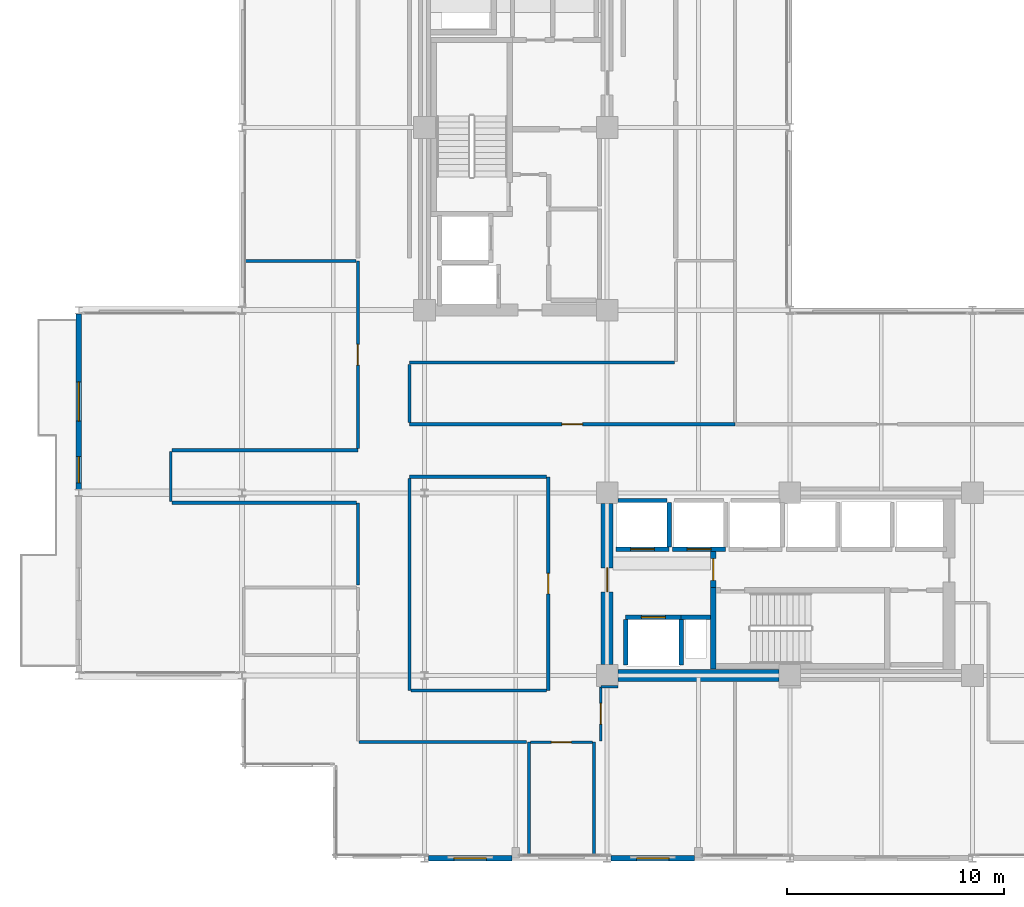
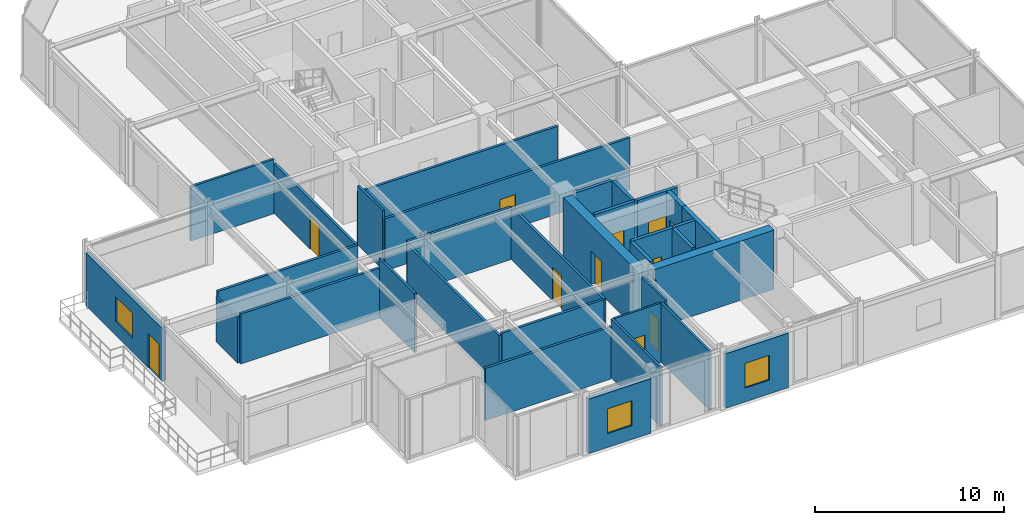
# One storey, part 24 of 29: 34 walls, 11 doors, 3 windows, 14 openings.
"""IFC4 building model written with IfcOpenShell, lengths in metres."""

from ifc_helpers import new_model, si_unit, direction, frame, frame_2d, origin, place, context, subcontext, project, spatial, rectangle, extrude, material, layer, layer_set, type_object, element, fill, save


model = new_model("IFC4")

# Units and contexts
model_context = context("Model", 3, precision=1e-05, world=origin(), true_north=direction((0.0, 1.0)))
body_context = subcontext(model_context, "Body", "Model", "MODEL_VIEW")
ifc_project = project(units=[si_unit("LENGTHUNIT", "METRE"), si_unit("AREAUNIT", "SQUARE_METRE"), si_unit("VOLUMEUNIT", "CUBIC_METRE"), si_unit("PLANEANGLEUNIT", "RADIAN"), si_unit("MASSUNIT", "GRAM", prefix="KILO")], contexts=[model_context])

# Site, building, storey
site_placement = place(None, origin())
site = spatial("IfcSite", under=ifc_project, at=site_placement, CompositionType="ELEMENT")
building_placement = place(site_placement, origin())
building = spatial("IfcBuilding", under=site, at=building_placement, Name="Nerrivon Quay Data Exchange", CompositionType="ELEMENT")
storey_placement = place(building_placement, frame((0.0, 0.0, 212.39990234375)))
storey = spatial("IfcBuildingStorey", under=building, at=storey_placement, Name="L50", CompositionType="ELEMENT", Elevation=212.39990234375)

# Wall, openings, door, window
ifc_material_1 = material(Name="Architectural terracotta precast concrete N50 (50 MPa)", Category="masonry")
ifc_layer_1 = layer(ifc_material_1, 0.239990234375)
ifc_layer_set_1 = layer_set([ifc_layer_1], Name="Architectural terracotta precast concrete N50 (50 MPa)")
wall_type_1 = type_object("IfcWallType", Name="EW-PREC-240", PredefinedType="STANDARD", material=ifc_layer_set_1)
wall_1_placement = place(storey_placement, frame((-7.5, 16.96337890625, 0.0), z_axis=(0.0, 0.0, 1.0), x_axis=(0.0, 1.0, 0.0)))
wall_1 = element("IfcWall", 1, at=wall_1_placement, inside=storey, type_object=wall_type_1, Name="L50 Terrace Host Wall 2", PredefinedType="STANDARD", context=body_context, shape_type="SweptSolid", body=[
    extrude(rectangle(XDim=8.0732421875, YDim=0.239990234375, at=frame_2d((4.03662109375, 0.0))), origin(), (0.0, 0.0, 1.0), 3.422119140625),
])
opening_1_placement = place(wall_1_placement, frame((0.300048828125, 0.0, 0.0)))
opening_1 = element("IfcOpeningElement", 2, at=opening_1_placement, cuts=wall_1, Name="Opening TD1", PredefinedType="OPENING", context=body_context, shape_type="SweptSolid", body=[
    extrude(rectangle(XDim=1.199951171875, YDim=2.199951171875, at=frame_2d((0.60009765625, 1.10009765625))), frame((0.0, 0.1298828125, 0.0), z_axis=(0.0, -1.0, 0.0), x_axis=(1.0, 0.0, 0.0)), (0.0, 0.0, 1.0), 0.260009765625),
])
opening_2_placement = place(wall_1_placement, frame((3.136474609375, 0.0, 0.89990234375)))
opening_2 = element("IfcOpeningElement", 3, at=opening_2_placement, cuts=wall_1, Name="Opening WN2", PredefinedType="OPENING", context=body_context, shape_type="SweptSolid", body=[
    extrude(rectangle(XDim=1.800048828125, YDim=1.60009765625, at=frame_2d((0.89990234375, 0.800048828125))), frame((0.0, 0.1298828125, 0.0), z_axis=(0.0, -1.0, 0.0), x_axis=(1.0, 0.0, 0.0)), (0.0, 0.0, 1.0), 0.260009765625),
])
ifc_material_2 = material(Name="Double-glazed low-E solar control glass", Category="glass")
door_type_1 = type_object("IfcDoorType", Name="DR-TERR-1200x2200", OperationType="NOTDEFINED", PredefinedType="DOOR", material=ifc_material_2)
door_1_placement = place(opening_1_placement, origin())
door_1 = element("IfcDoor", 4, at=door_1_placement, inside=storey, type_object=door_type_1, Name="L50 Outdoor Terrace Access Door 2", OperationType="SINGLE_SWING_LEFT", OverallHeight=2.199951171875, OverallWidth=1.199951171875, PredefinedType="DOOR", context=body_context, shape_type="SweptSolid", body=[
    extrude(rectangle(XDim=1.199951171875, YDim=2.199951171875, at=frame_2d((0.60009765625, 1.10009765625))), frame((0.0, 0.02490234375, 0.0), z_axis=(0.0, -1.0, 0.0), x_axis=(1.0, 0.0, 0.0)), (0.0, 0.0, 1.0), 0.050048828125),
])
fill(opening_1, door_1)
window_type_1 = type_object("IfcWindowType", Name="WIN-W2-1800x1600", PartitioningType="SINGLE_PANEL", PredefinedType="WINDOW", material=ifc_material_2)
window_1_placement = place(opening_2_placement, origin())
window_1 = element("IfcWindow", 5, at=window_1_placement, inside=storey, type_object=window_type_1, Name="L50 Terrace Side Window 2", OverallHeight=1.60009765625, OverallWidth=1.800048828125, PartitioningType="SINGLE_PANEL", PredefinedType="WINDOW", context=body_context, shape_type="SweptSolid", body=[
    extrude(rectangle(XDim=1.800048828125, YDim=1.60009765625, at=frame_2d((0.89990234375, 0.800048828125))), frame((0.0, 0.030029296875, 0.0), z_axis=(0.0, -1.0, 0.0), x_axis=(1.0, 0.0, 0.0)), (0.0, 0.0, 1.0), 0.06005859375),
])
fill(opening_2, window_1)

# Wall, opening, window
wall_2_placement = place(storey_placement, frame((20.824951171875, 0.0, 0.0), z_axis=(0.0, 0.0, 1.0), x_axis=(-1.0, 0.0, 0.0)))
wall_2 = element("IfcWall", 6, at=wall_2_placement, inside=storey, type_object=wall_type_1, Name="L50 Podium Precast Spandrel Wall 25", PredefinedType="STANDARD", context=body_context, shape_type="SweptSolid", body=[
    extrude(rectangle(XDim=3.849853515625, YDim=0.239990234375, at=frame_2d((1.9248046875, 0.0))), origin(), (0.0, 0.0, 1.0), 3.525146484375),
])
opening_3_placement = place(wall_2_placement, frame((1.175048828125, 0.0, 0.89990234375)))
opening_3 = element("IfcOpeningElement", 7, at=opening_3_placement, cuts=wall_2, Name="Opening WN4", PredefinedType="OPENING", context=body_context, shape_type="SweptSolid", body=[
    extrude(rectangle(XDim=1.5, YDim=1.60009765625, at=frame_2d((0.75, 0.800048828125))), frame((0.0, 0.1298828125, 0.0), z_axis=(0.0, -1.0, 0.0), x_axis=(1.0, 0.0, 0.0)), (0.0, 0.0, 1.0), 0.260009765625),
])
window_type_2 = type_object("IfcWindowType", Name="WIN-W4-1500x1600", PartitioningType="SINGLE_PANEL", PredefinedType="WINDOW", material=ifc_material_2)
window_2_placement = place(opening_3_placement, origin())
window_2 = element("IfcWindow", 8, at=window_2_placement, inside=storey, type_object=window_type_2, Name="L50 Solar Facade Window 25", OverallHeight=1.60009765625, OverallWidth=1.5, PartitioningType="SINGLE_PANEL", PredefinedType="WINDOW", context=body_context, shape_type="SweptSolid", body=[
    extrude(rectangle(XDim=1.5, YDim=1.60009765625, at=frame_2d((0.75, 0.800048828125))), frame((0.0, 0.030029296875, 0.0), z_axis=(0.0, -1.0, 0.0), x_axis=(1.0, 0.0, 0.0)), (0.0, 0.0, 1.0), 0.06005859375),
])
fill(opening_3, window_2)

wall_3_placement = place(storey_placement, frame((12.425048828125, 0.0, 0.0), z_axis=(0.0, 0.0, 1.0), x_axis=(-1.0, 0.0, 0.0)))
wall_3 = element("IfcWall", 9, at=wall_3_placement, inside=storey, type_object=wall_type_1, Name="L50 Podium Precast Spandrel Wall 27", PredefinedType="STANDARD", context=body_context, shape_type="SweptSolid", body=[
    extrude(rectangle(XDim=3.85009765625, YDim=0.239990234375, at=frame_2d((1.925048828125, 0.0))), origin(), (0.0, 0.0, 1.0), 3.525146484375),
])
opening_4_placement = place(wall_3_placement, frame((1.175048828125, 0.0, 0.89990234375)))
opening_4 = element("IfcOpeningElement", 10, at=opening_4_placement, cuts=wall_3, Name="Opening WN4", PredefinedType="OPENING", context=body_context, shape_type="SweptSolid", body=[
    extrude(rectangle(XDim=1.5, YDim=1.60009765625, at=frame_2d((0.75, 0.800048828125))), frame((0.0, 0.1298828125, 0.0), z_axis=(0.0, -1.0, 0.0), x_axis=(1.0, 0.0, 0.0)), (0.0, 0.0, 1.0), 0.260009765625),
])
window_3_placement = place(opening_4_placement, origin())
window_3 = element("IfcWindow", 11, at=window_3_placement, inside=storey, type_object=window_type_2, Name="L50 Solar Facade Window 27", OverallHeight=1.60009765625, OverallWidth=1.5, PartitioningType="SINGLE_PANEL", PredefinedType="WINDOW", context=body_context, shape_type="SweptSolid", body=[
    extrude(rectangle(XDim=1.5, YDim=1.60009765625, at=frame_2d((0.75, 0.800048828125))), frame((0.0, 0.030029296875, 0.0), z_axis=(0.0, -1.0, 0.0), x_axis=(1.0, 0.0, 0.0)), (0.0, 0.0, 1.0), 0.06005859375),
])
fill(opening_4, window_3)

# Wall
ifc_material_3 = material(Name="Concrete S65 (65 MPa)", Category="concrete")
ifc_layer_2 = layer(ifc_material_3, 0.550048828125)
ifc_layer_set_2 = layer_set([ifc_layer_2], Name="Concrete S65 (65 MPa)")
wall_type_2 = type_object("IfcWallType", Name="WALL-CW-700", PredefinedType="SHEAR", material=ifc_layer_set_2)
wall_4_placement = place(storey_placement, frame((17.300048828125, 8.39990234375, 0.0), z_axis=(0.0, 0.0, 1.0), x_axis=(1.0, 0.0, 0.0)))
element("IfcWall", 12, at=wall_4_placement, inside=storey, type_object=wall_type_2, Name="L50 East Split-Core Shear Wall ECW-S1", PredefinedType="SHEAR", context=body_context, shape_type="SweptSolid", body=[
    extrude(rectangle(XDim=7.39990234375, YDim=0.550048828125, at=frame_2d((3.699951171875, 0.0))), origin(), (0.0, 0.0, 1.0), 3.8251953125),
])

# Wall, opening, door
wall_5_placement = place(storey_placement, frame((16.800048828125, 8.89990234375, 0.0), z_axis=(0.0, 0.0, 1.0), x_axis=(0.0, 1.0, 0.0)))
wall_5 = element("IfcWall", 13, at=wall_5_placement, inside=storey, type_object=wall_type_2, Name="L50 East Split-Core Shear Wall ECW-W1", PredefinedType="SHEAR", context=body_context, shape_type="SweptSolid", body=[
    extrude(rectangle(XDim=7.400146484375, YDim=0.550048828125, at=frame_2d((3.7001953125, 0.0))), origin(), (0.0, 0.0, 1.0), 3.8251953125),
])
opening_5_placement = place(wall_5_placement, frame((3.35009765625, 0.0, 0.0)))
opening_5 = element("IfcOpeningElement", 14, at=opening_5_placement, cuts=wall_5, Name="Opening FD-120", PredefinedType="OPENING", context=body_context, shape_type="SweptSolid", body=[
    extrude(rectangle(XDim=1.10009765625, YDim=2.14990234375, at=frame_2d((0.550048828125, 1.074951171875))), frame((0.0, 0.284912109375, 0.0), z_axis=(0.0, -1.0, 0.0), x_axis=(1.0, 0.0, 0.0)), (0.0, 0.0, 1.0), 0.570068359375),
])
ifc_material_4 = material(Name="Powder-coated galvanized steel sheet", Category="steel")
door_type_2 = type_object("IfcDoorType", Name="DR-FD120-1100", OperationType="NOTDEFINED", PredefinedType="DOOR", material=ifc_material_4)
door_2_placement = place(opening_5_placement, origin())
door_2 = element("IfcDoor", 15, at=door_2_placement, inside=storey, type_object=door_type_2, Name="L50 East Core Lobby Fire Door", OperationType="SINGLE_SWING_RIGHT", OverallHeight=2.14990234375, OverallWidth=1.10009765625, PredefinedType="DOOR", context=body_context, shape_type="SweptSolid", body=[
    extrude(rectangle(XDim=1.10009765625, YDim=2.14990234375, at=frame_2d((0.550048828125, 1.074951171875))), frame((0.0, 0.02490234375, 0.0), z_axis=(0.0, -1.0, 0.0), x_axis=(1.0, 0.0, 0.0)), (0.0, 0.0, 1.0), 0.050048828125),
])
fill(opening_5, door_2)

# Wall
ifc_material_5 = material(Name="Gypsum plasterboard on cold-formed framing", Category="gypsum")
ifc_layer_3 = layer(ifc_material_5, 0.199951171875)
ifc_layer_set_3 = layer_set([ifc_layer_3], Name="Gypsum plasterboard on cold-formed framing")
wall_type_3 = type_object("IfcWallType", Name="WALL-FW-200", PredefinedType="PARTITIONING", material=ifc_layer_set_3)
wall_6_placement = place(storey_placement, frame((20.199951171875, 11.080078125, 0.0), z_axis=(0.0, 0.0, 1.0), x_axis=(1.0, 0.0, 0.0)))
element("IfcWall", 16, at=wall_6_placement, inside=storey, type_object=wall_type_3, Name="L50 East Core MEP Riser Shaft Wall N", PredefinedType="PARTITIONING", context=body_context, shape_type="SweptSolid", body=[
    extrude(rectangle(XDim=1.35009765625, YDim=0.199951171875, at=frame_2d((0.675048828125, 0.0))), origin(), (0.0, 0.0, 1.0), 3.8251953125),
])

# Wall, opening, door
wall_7_placement = place(storey_placement, frame((17.64990234375, 11.080078125, 0.0), z_axis=(0.0, 0.0, 1.0), x_axis=(1.0, 0.0, 0.0)))
wall_7 = element("IfcWall", 17, at=wall_7_placement, inside=storey, type_object=wall_type_3, Name="L50 Lift Front Wall FFL-2", PredefinedType="PARTITIONING", context=body_context, shape_type="SweptSolid", body=[
    extrude(rectangle(XDim=2.550048828125, YDim=0.199951171875, at=frame_2d((1.27490234375, 0.0))), origin(), (0.0, 0.0, 1.0), 3.8251953125),
])
opening_6_placement = place(wall_7_placement, frame((0.72509765625, 0.0, 0.0)))
opening_6 = element("IfcOpeningElement", 18, at=opening_6_placement, cuts=wall_7, Name="Opening LD-120", PredefinedType="OPENING", context=body_context, shape_type="SweptSolid", body=[
    extrude(rectangle(XDim=1.10009765625, YDim=2.199951171875, at=frame_2d((0.550048828125, 1.10009765625))), frame((0.0, 0.10986328125, 0.0), z_axis=(0.0, -1.0, 0.0), x_axis=(1.0, 0.0, 0.0)), (0.0, 0.0, 1.0), 0.219970703125),
])
door_type_3 = type_object("IfcDoorType", Name="DR-LIFT-LD120", OperationType="DOUBLE_DOOR_SLIDING", PredefinedType="DOOR", material=ifc_material_4)
door_3_placement = place(opening_6_placement, origin())
door_3 = element("IfcDoor", 19, at=door_3_placement, inside=storey, type_object=door_type_3, Name="L50 Lift Landing Sliding Door FFL-2", OperationType="DOUBLE_DOOR_SLIDING", OverallHeight=2.199951171875, OverallWidth=1.10009765625, PredefinedType="DOOR", context=body_context, shape_type="SweptSolid", body=[
    extrude(rectangle(XDim=1.10009765625, YDim=2.199951171875, at=frame_2d((0.550048828125, 1.10009765625))), frame((0.0, 0.02490234375, 0.0), z_axis=(0.0, -1.0, 0.0), x_axis=(1.0, 0.0, 0.0)), (0.0, 0.0, 1.0), 0.050048828125),
])
fill(opening_6, door_3)

# Walls
for number, where, z_axis, x_axis, name in (
    (20, (20.199951171875, 8.8798828125, 0.0), (0.0, 0.0, 1.0), (0.0, 1.0, 0.0), "L50 Lift Shaft Wall FFL-2 EAST"),
    (21, (17.64990234375, 8.8798828125, 0.0), (0.0, 0.0, 1.0), (0.0, 1.0, 0.0), "L50 Lift Shaft Wall FFL-2 WEST"),
):
    element("IfcWall", number, at=place(storey_placement, frame(where, z_axis=z_axis, x_axis=x_axis)), inside=storey, type_object=wall_type_3, Name=name, PredefinedType="PARTITIONING", context=body_context, shape_type="SweptSolid", body=[
        extrude(rectangle(XDim=2.10009765625, YDim=0.199951171875, at=frame_2d((1.050048828125, 0.0))), origin(), (0.0, 0.0, 1.0), 3.8251953125),
    ])

# Wall, opening, door
wall_8_placement = place(storey_placement, frame((17.199951171875, 14.199951171875, 0.0), z_axis=(0.0, 0.0, 1.0), x_axis=(1.0, 0.0, 0.0)))
wall_8 = element("IfcWall", 22, at=wall_8_placement, inside=storey, type_object=wall_type_3, Name="L50 Lift Front Wall PL4", PredefinedType="PARTITIONING", context=body_context, shape_type="SweptSolid", body=[
    extrude(rectangle(XDim=2.449951171875, YDim=0.199951171875, at=frame_2d((1.22509765625, 0.0))), origin(), (0.0, 0.0, 1.0), 3.8251953125),
])
opening_7_placement = place(wall_8_placement, frame((0.675048828125, 0.0, 0.0)))
opening_7 = element("IfcOpeningElement", 23, at=opening_7_placement, cuts=wall_8, Name="Opening LD-120", PredefinedType="OPENING", context=body_context, shape_type="SweptSolid", body=[
    extrude(rectangle(XDim=1.10009765625, YDim=2.199951171875, at=frame_2d((0.550048828125, 1.10009765625))), frame((0.0, 0.10986328125, 0.0), z_axis=(0.0, -1.0, 0.0), x_axis=(1.0, 0.0, 0.0)), (0.0, 0.0, 1.0), 0.219970703125),
])
door_4_placement = place(opening_7_placement, origin())
door_4 = element("IfcDoor", 24, at=door_4_placement, inside=storey, type_object=door_type_3, Name="L50 Lift Landing Sliding Door PL4", OperationType="DOUBLE_DOOR_SLIDING", OverallHeight=2.199951171875, OverallWidth=1.10009765625, PredefinedType="DOOR", context=body_context, shape_type="SweptSolid", body=[
    extrude(rectangle(XDim=1.10009765625, YDim=2.199951171875, at=frame_2d((0.550048828125, 1.10009765625))), frame((0.0, 0.02490234375, 0.0), z_axis=(0.0, -1.0, 0.0), x_axis=(1.0, 0.0, 0.0)), (0.0, 0.0, 1.0), 0.050048828125),
])
fill(opening_7, door_4)

# Walls
wall_9_placement = place(storey_placement, frame((19.64990234375, 14.300048828125, 0.0), z_axis=(0.0, 0.0, 1.0), x_axis=(0.0, 1.0, 0.0)))
element("IfcWall", 25, at=wall_9_placement, inside=storey, type_object=wall_type_3, Name="L50 Lift Shaft Wall PL4 EAST", PredefinedType="PARTITIONING", context=body_context, shape_type="SweptSolid", body=[
    extrude(rectangle(XDim=2.050048828125, YDim=0.199951171875, at=frame_2d((1.02490234375, 0.0))), origin(), (0.0, 0.0, 1.0), 3.8251953125),
])
wall_10_placement = place(storey_placement, frame((17.300048828125, 16.449951171875, 0.0), z_axis=(0.0, 0.0, 1.0), x_axis=(1.0, 0.0, 0.0)))
element("IfcWall", 26, at=wall_10_placement, inside=storey, type_object=wall_type_3, Name="L50 Lift Shaft Wall PL4 NORTH", PredefinedType="PARTITIONING", context=body_context, shape_type="SweptSolid", body=[
    extrude(rectangle(XDim=2.25, YDim=0.199951171875, at=frame_2d((1.125, 0.0))), origin(), (0.0, 0.0, 1.0), 3.8251953125),
])

# Wall, opening, door
wall_11_placement = place(storey_placement, frame((19.800048828125, 14.199951171875, 0.0), z_axis=(0.0, 0.0, 1.0), x_axis=(1.0, 0.0, 0.0)))
wall_11 = element("IfcWall", 27, at=wall_11_placement, inside=storey, type_object=wall_type_3, Name="L50 Lift Front Wall PL5", PredefinedType="PARTITIONING", context=body_context, shape_type="SweptSolid", body=[
    extrude(rectangle(XDim=2.449951171875, YDim=0.199951171875, at=frame_2d((1.22509765625, 0.0))), origin(), (0.0, 0.0, 1.0), 3.8251953125),
])
opening_8_placement = place(wall_11_placement, frame((0.675048828125, 0.0, 0.0)))
opening_8 = element("IfcOpeningElement", 28, at=opening_8_placement, cuts=wall_11, Name="Opening LD-120", PredefinedType="OPENING", context=body_context, shape_type="SweptSolid", body=[
    extrude(rectangle(XDim=1.10009765625, YDim=2.199951171875, at=frame_2d((0.550048828125, 1.10009765625))), frame((0.0, 0.10986328125, 0.0), z_axis=(0.0, -1.0, 0.0), x_axis=(1.0, 0.0, 0.0)), (0.0, 0.0, 1.0), 0.219970703125),
])
door_5_placement = place(opening_8_placement, origin())
door_5 = element("IfcDoor", 29, at=door_5_placement, inside=storey, type_object=door_type_3, Name="L50 Lift Landing Sliding Door PL5", OperationType="DOUBLE_DOOR_SLIDING", OverallHeight=2.199951171875, OverallWidth=1.10009765625, PredefinedType="DOOR", context=body_context, shape_type="SweptSolid", body=[
    extrude(rectangle(XDim=1.10009765625, YDim=2.199951171875, at=frame_2d((0.550048828125, 1.10009765625))), frame((0.0, 0.02490234375, 0.0), z_axis=(0.0, -1.0, 0.0), x_axis=(1.0, 0.0, 0.0)), (0.0, 0.0, 1.0), 0.050048828125),
])
fill(opening_8, door_5)

ifc_layer_4 = layer(ifc_material_5, 0.1201171875)
ifc_layer_set_4 = layer_set([ifc_layer_4], Name="Gypsum plasterboard on cold-formed framing")
wall_type_4 = type_object("IfcWallType", Name="WALL-PT-120", PredefinedType="PARTITIONING", material=ifc_layer_set_4)
wall_12_placement = place(storey_placement, frame((16.12841796875, 5.340087890625, 0.0), z_axis=(0.0, 0.0, 1.0), x_axis=(-1.0, 0.0, 0.0)))
wall_12 = element("IfcWall", 30, at=wall_12_placement, inside=storey, type_object=wall_type_4, Name="L50 Partition Accessible Toilet", PredefinedType="PARTITIONING", context=body_context, shape_type="SweptSolid", body=[
    extrude(rectangle(XDim=2.85693359375, YDim=0.1201171875, at=frame_2d((1.428466796875, 0.0))), origin(), (0.0, 0.0, 1.0), 3.8251953125),
])
opening_9_placement = place(wall_12_placement, frame((0.968505859375, 0.0, 0.0)))
opening_9 = element("IfcOpeningElement", 31, at=opening_9_placement, cuts=wall_12, Name="Opening D-WC", PredefinedType="OPENING", context=body_context, shape_type="SweptSolid", body=[
    extrude(rectangle(XDim=0.919921875, YDim=2.10009765625, at=frame_2d((0.4599609375, 1.050048828125))), frame((0.0, 0.070068359375, 0.0), z_axis=(0.0, -1.0, 0.0), x_axis=(1.0, 0.0, 0.0)), (0.0, 0.0, 1.0), 0.14013671875),
])
ifc_material_6 = material(Name="Engineered hardwood timber", Category="wood")
door_type_4 = type_object("IfcDoorType", Name="DR-WC-920", OperationType="NOTDEFINED", PredefinedType="DOOR", material=ifc_material_6)
door_6_placement = place(opening_9_placement, origin())
door_6 = element("IfcDoor", 32, at=door_6_placement, inside=storey, type_object=door_type_4, Name="L50 Door Accessible Toilet", OperationType="SINGLE_SWING_RIGHT", OverallHeight=2.10009765625, OverallWidth=0.919921875, PredefinedType="DOOR", context=body_context, shape_type="SweptSolid", body=[
    extrude(rectangle(XDim=0.919921875, YDim=2.10009765625, at=frame_2d((0.4599609375, 1.050048828125))), frame((0.0, 0.02490234375, 0.0), z_axis=(0.0, -1.0, 0.0), x_axis=(1.0, 0.0, 0.0)), (0.0, 0.0, 1.0), 0.050048828125),
])
fill(opening_9, door_6)

# Wall
wall_13_placement = place(storey_placement, frame((17.305908203125, 7.880859375, 0.0), z_axis=(0.0, 0.0, 1.0), x_axis=(-0.999999247244, -0.001226992941, 0.0)))
element("IfcWall", 33, at=wall_13_placement, inside=storey, type_object=wall_type_4, Name="L50 Partition Staff Pantry", PredefinedType="PARTITIONING", context=body_context, shape_type="SweptSolid", body=[
    extrude(rectangle(XDim=0.7958984375, YDim=0.1201171875, at=frame_2d((0.39794921875, 0.0))), origin(), (0.0, 0.0, 1.0), 3.37109375),
])

# Wall, opening, door
wall_14_placement = place(storey_placement, frame((16.510009765625, 7.8798828125, 0.0), z_axis=(0.0, 0.0, 1.0), x_axis=(0.0, -1.0, 0.0)))
wall_14 = element("IfcWall", 34, at=wall_14_placement, inside=storey, type_object=wall_type_4, Name="L50 Partition Staff Pantry", PredefinedType="PARTITIONING", context=body_context, shape_type="SweptSolid", body=[
    extrude(rectangle(XDim=2.47998046875, YDim=0.1201171875, at=frame_2d((1.239990234375, 0.0))), origin(), (0.0, 0.0, 1.0), 3.8251953125),
])
opening_10_placement = place(wall_14_placement, frame((0.764892578125, 0.0, 0.0)))
opening_10 = element("IfcOpeningElement", 35, at=opening_10_placement, cuts=wall_14, Name="Opening D-01", PredefinedType="OPENING", context=body_context, shape_type="SweptSolid", body=[
    extrude(rectangle(XDim=0.949951171875, YDim=2.14990234375, at=frame_2d((0.47509765625, 1.074951171875))), frame((0.0, 0.070068359375, 0.0), z_axis=(0.0, -1.0, 0.0), x_axis=(1.0, 0.0, 0.0)), (0.0, 0.0, 1.0), 0.14013671875),
])
door_type_5 = type_object("IfcDoorType", Name="DR-INT-950", OperationType="NOTDEFINED", PredefinedType="DOOR", material=ifc_material_6)
door_7_placement = place(opening_10_placement, origin())
door_7 = element("IfcDoor", 36, at=door_7_placement, inside=storey, type_object=door_type_5, Name="L50 Door Staff Pantry", OperationType="SINGLE_SWING_RIGHT", OverallHeight=2.14990234375, OverallWidth=0.949951171875, PredefinedType="DOOR", context=body_context, shape_type="SweptSolid", body=[
    extrude(rectangle(XDim=0.949951171875, YDim=2.14990234375, at=frame_2d((0.47509765625, 1.074951171875))), frame((0.0, 0.02490234375, 0.0), z_axis=(0.0, -1.0, 0.0), x_axis=(1.0, 0.0, 0.0)), (0.0, 0.0, 1.0), 0.050048828125),
])
fill(opening_10, door_7)

# Walls
wall_15_placement = place(storey_placement, frame((7.7099609375, 22.7109375, 0.0), z_axis=(0.0, 0.0, 1.0), x_axis=(0.0, -1.0, 0.0)))
element("IfcWall", 37, at=wall_15_placement, inside=storey, type_object=wall_type_4, Name="L50 Partition Network Security Control", PredefinedType="PARTITIONING", context=body_context, shape_type="SweptSolid", body=[
    extrude(rectangle(XDim=2.671875, YDim=0.1201171875, at=frame_2d((1.3359375, 0.0))), origin(), (0.0, 0.0, 1.0), 3.8251953125),
])
wall_16_placement = place(storey_placement, frame((-3.260009765625, 16.39990234375, 0.0), z_axis=(0.0, 0.0, 1.0), x_axis=(0.0, 1.0, 0.0)))
element("IfcWall", 38, at=wall_16_placement, inside=storey, type_object=wall_type_4, Name="L50 Partition Technical Library", PredefinedType="PARTITIONING", context=body_context, shape_type="SweptSolid", body=[
    extrude(rectangle(XDim=2.300048828125, YDim=0.1201171875, at=frame_2d((1.14990234375, 0.0))), origin(), (0.0, 0.0, 1.0), 2.9150390625),
])
ifc_layer_5 = layer(ifc_material_5, 0.135009765625)
ifc_layer_set_5 = layer_set([ifc_layer_5], Name="Gypsum plasterboard on cold-formed framing")
wall_type_5 = type_object("IfcWallType", Name="WALL-PT-135", PredefinedType="PARTITIONING", material=ifc_layer_set_5)
for number, where, z_axis, x_axis, name in (
    (39, (13.199951171875, 5.340087890625, 0.0), (0.0, 0.0, 1.0), (0.0, -1.0, 0.0), "L50 Partition Accessible Toilet"),
    (40, (16.199951171875, 0.1689453125, 0.0), (0.0, 0.0, 1.0), (0.0, 1.0, 0.0), "L50 Partition Accessible Toilet"),
):
    element("IfcWall", number, at=place(storey_placement, frame(where, z_axis=z_axis, x_axis=x_axis)), inside=storey, type_object=wall_type_5, Name=name, PredefinedType="PARTITIONING", context=body_context, shape_type="SweptSolid", body=[
        extrude(rectangle(XDim=5.171142578125, YDim=0.135009765625, at=frame_2d((2.58544921875, 0.0))), origin(), (0.0, 0.0, 1.0), 3.8251953125),
    ])
wall_17_placement = place(storey_placement, frame((5.340087890625, 12.570068359375, 0.0), z_axis=(0.0, 0.0, 1.0), x_axis=(0.0, 1.0, 0.0)))
element("IfcWall", 41, at=wall_17_placement, inside=storey, type_object=wall_type_5, Name="L50 Partition Technical Library", PredefinedType="PARTITIONING", context=body_context, shape_type="SweptSolid", body=[
    extrude(rectangle(XDim=3.77001953125, YDim=0.135009765625, at=frame_2d((1.885009765625, 0.0))), origin(), (0.0, 0.0, 1.0), 3.8251953125),
])
wall_18_placement = place(storey_placement, frame((5.260986328125, 27.46923828125, 0.0), z_axis=(0.0, 0.0, 1.0), x_axis=(-1.0, 0.0, 0.0)))
element("IfcWall", 42, at=wall_18_placement, inside=storey, type_object=wall_type_5, Name="L50 Partition Technical Library", PredefinedType="PARTITIONING", context=body_context, shape_type="SweptSolid", body=[
    extrude(rectangle(XDim=5.092041015625, YDim=0.135009765625, at=frame_2d((2.5458984375, 0.0))), origin(), (0.0, 0.0, 1.0), 3.51806640625),
])

# Wall, opening, door
ifc_layer_6 = layer(ifc_material_5, 0.14990234375)
ifc_layer_set_6 = layer_set([ifc_layer_6], Name="Gypsum plasterboard on cold-formed framing")
wall_type_6 = type_object("IfcWallType", Name="WALL-PT-150", PredefinedType="PARTITIONING", material=ifc_layer_set_6)
wall_19_placement = place(storey_placement, frame((7.7099609375, 19.9599609375, 0.0), z_axis=(0.0, 0.0, 1.0), x_axis=(1.0, 0.0, 0.0)))
wall_19 = element("IfcWall", 43, at=wall_19_placement, inside=storey, type_object=wall_type_6, Name="L50 Partition Network Security Control", PredefinedType="PARTITIONING", context=body_context, shape_type="SweptSolid", body=[
    extrude(rectangle(XDim=14.963134765625, YDim=0.14990234375, at=frame_2d((7.4814453125, 0.0))), origin(), (0.0, 0.0, 1.0), 3.37109375),
])
opening_11_placement = place(wall_19_placement, frame((7.006591796875, 0.0, 0.0)))
opening_11 = element("IfcOpeningElement", 44, at=opening_11_placement, cuts=wall_19, Name="Opening D-01", PredefinedType="OPENING", context=body_context, shape_type="SweptSolid", body=[
    extrude(rectangle(XDim=0.949951171875, YDim=2.14990234375, at=frame_2d((0.47509765625, 1.074951171875))), frame((0.0, 0.0849609375, 0.0), z_axis=(0.0, -1.0, 0.0), x_axis=(1.0, 0.0, 0.0)), (0.0, 0.0, 1.0), 0.169921875),
])
door_8_placement = place(opening_11_placement, origin())
door_8 = element("IfcDoor", 45, at=door_8_placement, inside=storey, type_object=door_type_5, Name="L50 Door Network Security Control", OperationType="SINGLE_SWING_LEFT", OverallHeight=2.14990234375, OverallWidth=0.949951171875, PredefinedType="DOOR", context=body_context, shape_type="SweptSolid", body=[
    extrude(rectangle(XDim=0.949951171875, YDim=2.14990234375, at=frame_2d((0.47509765625, 1.074951171875))), frame((0.0, 0.02490234375, 0.0), z_axis=(0.0, -1.0, 0.0), x_axis=(1.0, 0.0, 0.0)), (0.0, 0.0, 1.0), 0.050048828125),
])
fill(opening_11, door_8)

# Wall
wall_20_placement = place(storey_placement, frame((19.89990234375, 22.7900390625, 0.0), z_axis=(0.0, 0.0, 1.0), x_axis=(-1.0, 0.0, 0.0)))
element("IfcWall", 46, at=wall_20_placement, inside=storey, type_object=wall_type_6, Name="L50 Partition Network Security Control", PredefinedType="PARTITIONING", context=body_context, shape_type="SweptSolid", body=[
    extrude(rectangle(XDim=12.18994140625, YDim=0.14990234375, at=frame_2d((6.094970703125, 0.0))), origin(), (0.0, 0.0, 1.0), 3.37109375),
])

# Wall, opening, door
wall_21_placement = place(storey_placement, frame((14.090087890625, 7.7099609375, 0.0), z_axis=(0.0, 0.0, 1.0), x_axis=(0.0, 1.0, 0.0)))
wall_21 = element("IfcWall", 47, at=wall_21_placement, inside=storey, type_object=wall_type_6, Name="L50 Partition Mail and Crew Room", PredefinedType="PARTITIONING", context=body_context, shape_type="SweptSolid", body=[
    extrude(rectangle(XDim=9.830078125, YDim=0.14990234375, at=frame_2d((4.9150390625, 0.0))), origin(), (0.0, 0.0, 1.0), 3.364990234375),
])
opening_12_placement = place(wall_21_placement, frame((4.43994140625, 0.0, 0.0)))
opening_12 = element("IfcOpeningElement", 48, at=opening_12_placement, cuts=wall_21, Name="Opening D-01", PredefinedType="OPENING", context=body_context, shape_type="SweptSolid", body=[
    extrude(rectangle(XDim=0.949951171875, YDim=2.14990234375, at=frame_2d((0.47509765625, 1.074951171875))), frame((0.0, 0.0849609375, 0.0), z_axis=(0.0, -1.0, 0.0), x_axis=(1.0, 0.0, 0.0)), (0.0, 0.0, 1.0), 0.169921875),
])
door_9_placement = place(opening_12_placement, origin())
door_9 = element("IfcDoor", 49, at=door_9_placement, inside=storey, type_object=door_type_5, Name="L50 Door Mail and Crew Room", OperationType="SINGLE_SWING_RIGHT", OverallHeight=2.14990234375, OverallWidth=0.949951171875, PredefinedType="DOOR", context=body_context, shape_type="SweptSolid", body=[
    extrude(rectangle(XDim=0.949951171875, YDim=2.14990234375, at=frame_2d((0.47509765625, 1.074951171875))), frame((0.0, 0.02490234375, 0.0), z_axis=(0.0, -1.0, 0.0), x_axis=(1.0, 0.0, 0.0)), (0.0, 0.0, 1.0), 0.050048828125),
])
fill(opening_12, door_9)

# Walls
wall_22_placement = place(storey_placement, frame((14.010986328125, 17.5400390625, 0.0), z_axis=(0.0, 0.0, 1.0), x_axis=(-1.0, 0.0, 0.0)))
element("IfcWall", 50, at=wall_22_placement, inside=storey, type_object=wall_type_6, Name="L50 Partition Mail and Crew Room", PredefinedType="PARTITIONING", context=body_context, shape_type="SweptSolid", body=[
    extrude(rectangle(XDim=6.301025390625, YDim=0.14990234375, at=frame_2d((3.150390625, 0.0))), origin(), (0.0, 0.0, 1.0), 3.37109375),
])
wall_23_placement = place(storey_placement, frame((7.7099609375, 17.4609375, 0.0), z_axis=(0.0, 0.0, 1.0), x_axis=(0.0, -1.0, 0.0)))
element("IfcWall", 51, at=wall_23_placement, inside=storey, type_object=wall_type_6, Name="L50 Partition Mail and Crew Room", PredefinedType="PARTITIONING", context=body_context, shape_type="SweptSolid", body=[
    extrude(rectangle(XDim=9.7509765625, YDim=0.14990234375, at=frame_2d((4.87548828125, 0.0))), origin(), (0.0, 0.0, 1.0), 3.213134765625),
])
wall_24_placement = place(storey_placement, frame((7.7890625, 7.7099609375, 0.0), z_axis=(0.0, 0.0, 1.0), x_axis=(1.0, 0.0, 0.0)))
element("IfcWall", 52, at=wall_24_placement, inside=storey, type_object=wall_type_6, Name="L50 Partition Mail and Crew Room", PredefinedType="PARTITIONING", context=body_context, shape_type="SweptSolid", body=[
    extrude(rectangle(XDim=6.221923828125, YDim=0.14990234375, at=frame_2d((3.11083984375, 0.0))), origin(), (0.0, 0.0, 1.0), 3.37109375),
])
wall_25_placement = place(storey_placement, frame((13.080078125, 5.340087890625, 0.0), z_axis=(0.0, 0.0, 1.0), x_axis=(-1.0, 0.0, 0.0)))
element("IfcWall", 53, at=wall_25_placement, inside=storey, type_object=wall_type_6, Name="L50 Partition Technical Library", PredefinedType="PARTITIONING", context=body_context, shape_type="SweptSolid", body=[
    extrude(rectangle(XDim=7.68017578125, YDim=0.14990234375, at=frame_2d((3.840087890625, 0.0))), origin(), (0.0, 0.0, 1.0), 3.37109375),
])
wall_26_placement = place(storey_placement, frame((5.2685546875, 16.340087890625, 0.0), z_axis=(0.0, 0.0, 1.0), x_axis=(-1.0, 0.0, 0.0)))
element("IfcWall", 54, at=wall_26_placement, inside=storey, type_object=wall_type_6, Name="L50 Partition Technical Library", PredefinedType="PARTITIONING", context=body_context, shape_type="SweptSolid", body=[
    extrude(rectangle(XDim=8.468505859375, YDim=0.14990234375, at=frame_2d((4.234375, 0.0))), origin(), (0.0, 0.0, 1.0), 3.22314453125),
])
wall_27_placement = place(storey_placement, frame((-3.199951171875, 18.760009765625, 0.0), z_axis=(0.0, 0.0, 1.0), x_axis=(1.0, 0.0, 0.0)))
element("IfcWall", 55, at=wall_27_placement, inside=storey, type_object=wall_type_6, Name="L50 Partition Technical Library", PredefinedType="PARTITIONING", context=body_context, shape_type="SweptSolid", body=[
    extrude(rectangle(XDim=8.5400390625, YDim=0.14990234375, at=frame_2d((4.27001953125, 0.0))), origin(), (0.0, 0.0, 1.0), 3.22314453125),
])

# Wall, opening, door
wall_28_placement = place(storey_placement, frame((5.340087890625, 18.839111328125, 0.0), z_axis=(0.0, 0.0, 1.0), x_axis=(0.0, 1.0, 0.0)))
wall_28 = element("IfcWall", 56, at=wall_28_placement, inside=storey, type_object=wall_type_6, Name="L50 Partition Technical Library", PredefinedType="PARTITIONING", context=body_context, shape_type="SweptSolid", body=[
    extrude(rectangle(XDim=8.630126953125, YDim=0.14990234375, at=frame_2d((4.31494140625, 0.0))), origin(), (0.0, 0.0, 1.0), 3.213134765625),
])
opening_13_placement = place(wall_28_placement, frame((3.840087890625, 0.0, 0.0)))
opening_13 = element("IfcOpeningElement", 57, at=opening_13_placement, cuts=wall_28, Name="Opening D-01", PredefinedType="OPENING", context=body_context, shape_type="SweptSolid", body=[
    extrude(rectangle(XDim=0.949951171875, YDim=2.14990234375, at=frame_2d((0.47509765625, 1.074951171875))), frame((0.0, 0.0849609375, 0.0), z_axis=(0.0, -1.0, 0.0), x_axis=(1.0, 0.0, 0.0)), (0.0, 0.0, 1.0), 0.169921875),
])
door_10_placement = place(opening_13_placement, origin())
door_10 = element("IfcDoor", 58, at=door_10_placement, inside=storey, type_object=door_type_5, Name="L50 Door Technical Library", OperationType="SINGLE_SWING_LEFT", OverallHeight=2.14990234375, OverallWidth=0.949951171875, PredefinedType="DOOR", context=body_context, shape_type="SweptSolid", body=[
    extrude(rectangle(XDim=0.949951171875, YDim=2.14990234375, at=frame_2d((0.47509765625, 1.074951171875))), frame((0.0, 0.02490234375, 0.0), z_axis=(0.0, -1.0, 0.0), x_axis=(1.0, 0.0, 0.0)), (0.0, 0.0, 1.0), 0.050048828125),
])
fill(opening_13, door_10)

# Wall
ifc_material_7 = material(Name="Concrete N50 (50 MPa)", Category="concrete")
ifc_layer_7 = layer(ifc_material_7, 0.25)
ifc_layer_set_7 = layer_set([ifc_layer_7], Name="Concrete N50 (50 MPa)")
wall_type_7 = type_object("IfcWallType", Name="WALL-SW-250", PredefinedType="SHEAR", material=ifc_layer_set_7)
wall_29_placement = place(storey_placement, frame((21.675048828125, 8.699951171875, 0.0), z_axis=(0.0, 0.0, 1.0), x_axis=(0.0, 1.0, 0.0)))
element("IfcWall", 59, at=wall_29_placement, inside=storey, type_object=wall_type_7, Name="L50 ST02 Structural Stair Core Wall NEAR", PredefinedType="SHEAR", context=body_context, shape_type="SweptSolid", body=[
    extrude(rectangle(XDim=3.75, YDim=0.25, at=frame_2d((1.875, 0.0))), origin(), (0.0, 0.0, 1.0), 3.8251953125),
])

# Wall, opening, door
wall_30_placement = place(storey_placement, frame((21.679931640625, 12.449951171875, 0.0), z_axis=(0.0, 0.0, 1.0), x_axis=(0.0, 1.0, 0.0)))
wall_30 = element("IfcWall", 60, at=wall_30_placement, inside=storey, type_object=wall_type_7, Name="L50 East Firefighting Lobby Wall", PredefinedType="SHEAR", context=body_context, shape_type="SweptSolid", body=[
    extrude(rectangle(XDim=1.650146484375, YDim=0.25, at=frame_2d((0.8251953125, 0.0))), origin(), (0.0, 0.0, 1.0), 3.8251953125),
])
opening_14_placement = place(wall_30_placement, frame((0.324951171875, 0.0, 0.0)))
opening_14 = element("IfcOpeningElement", 61, at=opening_14_placement, cuts=wall_30, Name="Opening FD-60", PredefinedType="OPENING", context=body_context, shape_type="SweptSolid", body=[
    extrude(rectangle(XDim=1.0, YDim=2.14990234375, at=frame_2d((0.5, 1.074951171875))), frame((0.0, 0.135009765625, 0.0), z_axis=(0.0, -1.0, 0.0), x_axis=(1.0, 0.0, 0.0)), (0.0, 0.0, 1.0), 0.27001953125),
])
door_type_6 = type_object("IfcDoorType", Name="DR-FD60-1000", OperationType="NOTDEFINED", PredefinedType="DOOR", material=ifc_material_6)
door_11_placement = place(opening_14_placement, origin())
door_11 = element("IfcDoor", 62, at=door_11_placement, inside=storey, type_object=door_type_6, Name="L50 East Firefighting Lobby Fire Door", OperationType="SINGLE_SWING_RIGHT", OverallHeight=2.14990234375, OverallWidth=1.0, PredefinedType="DOOR", context=body_context, shape_type="SweptSolid", body=[
    extrude(rectangle(XDim=1.0, YDim=2.14990234375, at=frame_2d((0.5, 1.074951171875))), frame((0.0, 0.02490234375, 0.0), z_axis=(0.0, -1.0, 0.0), x_axis=(1.0, 0.0, 0.0)), (0.0, 0.0, 1.0), 0.050048828125),
])
fill(opening_14, door_11)

save(model, "model.ifc")
